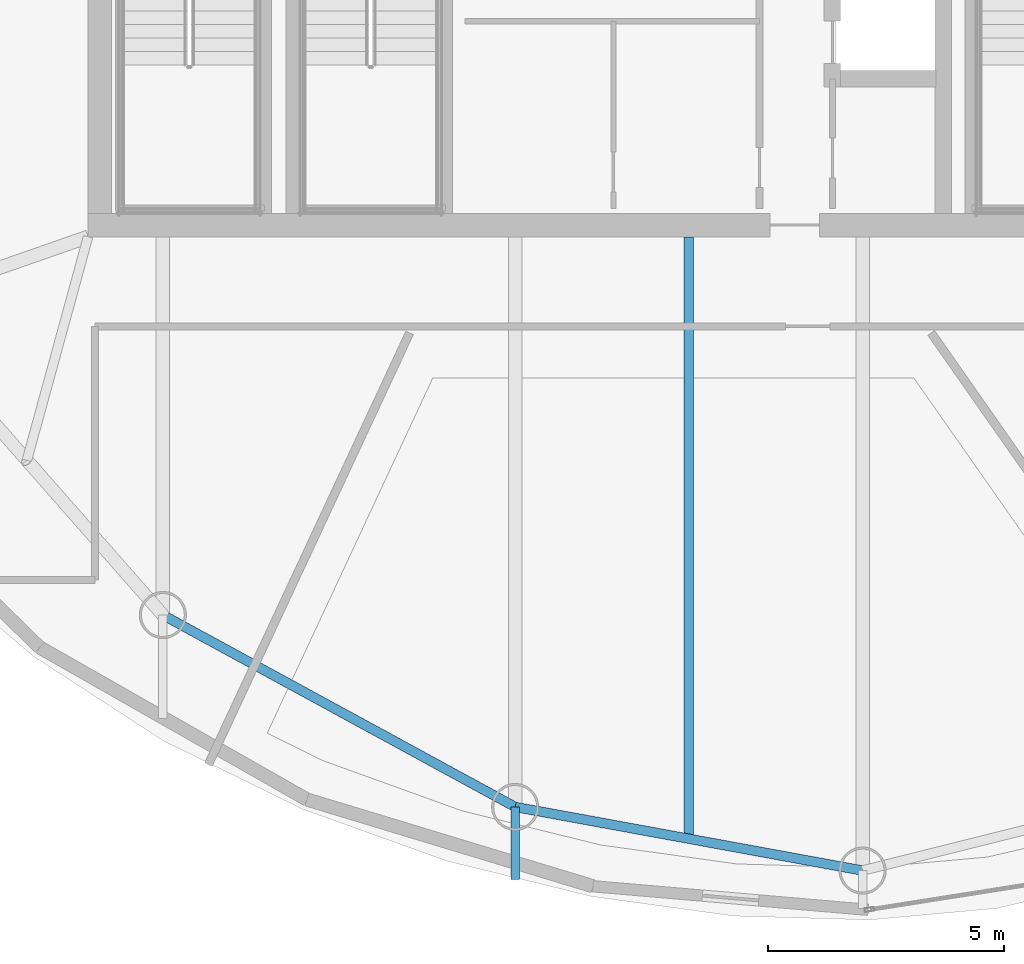
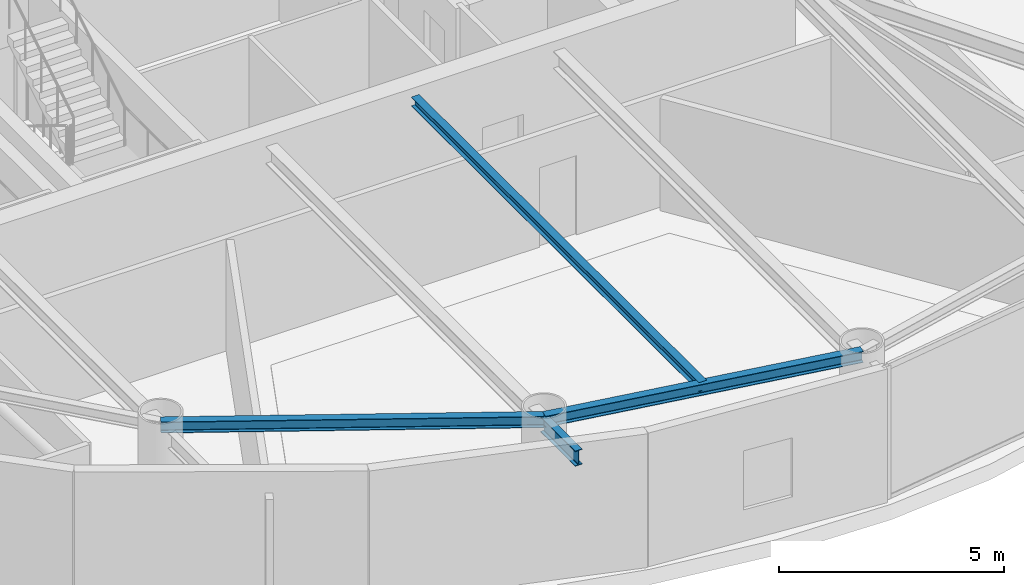
# One storey, part 3 of 20: 4 beams.
"""IFC4 building model written with IfcOpenShell, lengths in metres."""

import ifcopenshell
import ifcopenshell.guid

model = None  # the IFC model being written
_history = None  # IfcOwnerHistory: only IFC2X3 demands one
_inside = {}  # id of a spatial element -> (the spatial element, [elements in it])
_under = {}  # id of a project, library or spatial element -> (it, [spatial elements below it])
_declared = {}  # id of a project -> (the project, [libraries it declares])
_typed = {}  # id of a type object -> (the type object, [elements of that type])
_made_of = {}  # id of a material, layer set ... -> (it, [elements and type objects made of it])


def new_model(schema):
    """Start an empty IFC model of exactly this schema.

    Asked for "IFC4X3", IfcOpenShell would pick the latest addendum, in which some entities
    have other attributes; the version numbers below select the first issue.
    IFC2X3 requires an IfcOwnerHistory on every rooted entity: one is made here for all.
    """
    global model, _history
    if schema == "IFC4X3":
        model = ifcopenshell.file(schema_version=(4, 3, 0, 0))
    else:
        model = ifcopenshell.file(schema=schema)
    _inside.clear()
    _under.clear()
    _declared.clear()
    _typed.clear()
    _made_of.clear()
    _history = None
    if model.schema == "IFC2X3":
        org = make("IfcOrganization", Name="unknown")
        user = make(
            "IfcPersonAndOrganization",
            ThePerson=make("IfcPerson", FamilyName="unknown"),
            TheOrganization=org,
        )
        app = make(
            "IfcApplication",
            ApplicationDeveloper=org,
            Version="unknown",
            ApplicationFullName="unknown",
            ApplicationIdentifier="unknown",
        )
        _history = make(
            "IfcOwnerHistory",
            OwningUser=user,
            OwningApplication=app,
            ChangeAction="ADDED",
            CreationDate=0,
        )
    return model


def make(cls, **values):
    """One entity of the class cls with the attributes given. An attribute that is None is left unset."""
    return model.create_entity(
        cls, **{name: value for name, value in values.items() if value is not None}
    )


def rooted(cls, **values):
    """An entity with a GlobalId (a new one), such as an element, a storey or a relation."""
    return make(cls, GlobalId=ifcopenshell.guid.new(), OwnerHistory=_history, **values)


def si_unit(unit_type, name, prefix=None):
    """IfcSIUnit, for example si_unit("LENGTHUNIT", "METRE", prefix="MILLI")."""
    return make("IfcSIUnit", UnitType=unit_type, Prefix=prefix, Name=name)


def assignment(units):
    """IfcUnitAssignment: the units of a project."""
    return None if units is None else make("IfcUnitAssignment", Units=units)


def point(xyz):
    """IfcCartesianPoint."""
    return None if xyz is None else make("IfcCartesianPoint", Coordinates=xyz)


def direction(xyz):
    """IfcDirection."""
    return None if xyz is None else make("IfcDirection", DirectionRatios=xyz)


def frame(location, z_axis=None, x_axis=None):
    """IfcAxis2Placement3D, a coordinate frame: its origin and axes. An axis left out is left unset."""
    return make(
        "IfcAxis2Placement3D",
        Location=point(location),
        Axis=direction(z_axis),
        RefDirection=direction(x_axis),
    )


def frame_2d(location, x_axis=None):
    """IfcAxis2Placement2D, a coordinate frame in the plane: its origin and x axis."""
    return make(
        "IfcAxis2Placement2D", Location=point(location), RefDirection=direction(x_axis)
    )


def origin():
    """The frame at (0, 0, 0) with its axes left unset."""
    return frame((0.0, 0.0, 0.0))


def origin_2d():
    """The frame at (0, 0) in the plane with its x axis left unset."""
    return frame_2d((0.0, 0.0))


def place(relative_to, where):
    """IfcLocalPlacement: puts the frame where relative to a parent placement (None: the world)."""
    return make(
        "IfcLocalPlacement", PlacementRelTo=relative_to, RelativePlacement=where
    )


def context(
    kind, dimensions, precision=None, world=None, true_north=None, identifier=None
):
    """IfcGeometricRepresentationContext, for example the 3D "Model" context."""
    return make(
        "IfcGeometricRepresentationContext",
        ContextIdentifier=identifier,
        ContextType=kind,
        CoordinateSpaceDimension=dimensions,
        Precision=precision,
        WorldCoordinateSystem=world,
        TrueNorth=true_north,
    )


def subcontext(parent, identifier, kind, view, scale=None):
    """IfcGeometricRepresentationSubContext, for example "Body" below "Model"."""
    return make(
        "IfcGeometricRepresentationSubContext",
        ContextIdentifier=identifier,
        ContextType=kind,
        ParentContext=parent,
        TargetScale=scale,
        TargetView=view,
    )


def project(units=None, contexts=None):
    """IfcProject with its units and contexts."""
    return rooted(
        "IfcProject",
        Name="project",
        RepresentationContexts=contexts,
        UnitsInContext=assignment(units),
    )


def spatial(cls, under=None, at=None, **own):
    """A site, building, storey or space (cls), placed at a placement, below another one or the project."""
    s = rooted(cls, ObjectPlacement=at, **own)
    if under is not None:
        _under.setdefault(under.id(), (under, []))[1].append(s)
    return s


def profile(cls, at=None, kind="AREA", **sizes):
    """A parametric profile (cls). Its sizes go by their IFC names, for example OverallWidth=200.0."""
    return make(cls, ProfileType=kind, Position=at, **sizes)


def i_section(**sizes):
    """IfcIShapeProfileDef."""
    return profile("IfcIShapeProfileDef", **sizes)


def extrude(swept, where, along, depth):
    """IfcExtrudedAreaSolid: the profile swept, set in the frame where, extruded along a direction by depth."""
    return make(
        "IfcExtrudedAreaSolid",
        SweptArea=swept,
        Position=where,
        ExtrudedDirection=direction(along),
        Depth=depth,
    )


def shape(context_of_items, identifier, shape_type, items):
    """IfcShapeRepresentation: the items that make up one representation, for example the "Body"."""
    return make(
        "IfcShapeRepresentation",
        ContextOfItems=context_of_items,
        RepresentationIdentifier=identifier,
        RepresentationType=shape_type,
        Items=items,
    )


def material(Name=None, Category=None):
    """IfcMaterial."""
    return make("IfcMaterial", Name=Name, Category=Category)


def material_profile(
    of_material, cross_section, Name=None, Category=None, Priority=None
):
    """IfcMaterialProfile: a cross section and its material."""
    return make(
        "IfcMaterialProfile",
        Name=Name,
        Material=of_material,
        Profile=cross_section,
        Priority=Priority,
        Category=Category,
    )


def profile_set(profiles, Name=None, composite=None):
    """IfcMaterialProfileSet."""
    return make(
        "IfcMaterialProfileSet",
        Name=Name,
        MaterialProfiles=profiles,
        CompositeProfile=composite,
    )


def made_of(thing, what):
    """Note that an element or type object is made of a material, layer set ...; save() writes the relation."""
    if what is not None:
        _made_of.setdefault(what.id(), (what, []))[1].append(thing)
    return thing


def type_object(cls, material=None, **own):
    """A type object (cls), such as IfcWallType, which elements share."""
    return made_of(rooted(cls, **own), material)


def element(
    cls,
    number,
    at=None,
    inside=None,
    cuts=None,
    type_object=None,
    material=None,
    context=None,
    identifier="Body",
    shape_type=None,
    held_by="IfcProductDefinitionShape",
    body=None,
    shapes=None,
    **own,
):
    """One element of the class cls, such as IfcWall. Its Tag is "e" and its number.

    at: its placement. inside: the storey or other place that contains it. cuts: it is an
    opening in that element (IfcRelVoidsElement). A single representation is given by context,
    identifier, shape_type and body (its items); several are given by shapes. held_by: the class
    of the entity that holds the representations. save() writes the other relations.
    """
    e = rooted(cls, Tag="e%d" % number, ObjectPlacement=at, **own)
    if body is not None:
        shapes = [shape(context, identifier, shape_type, body)]
    if shapes is not None:
        e.Representation = make(held_by, Representations=shapes)
    if inside is not None:
        _inside.setdefault(inside.id(), (inside, []))[1].append(e)
    if cuts is not None:
        rooted(
            "IfcRelVoidsElement", RelatingBuildingElement=cuts, RelatedOpeningElement=e
        )
    if type_object is not None:
        _typed.setdefault(type_object.id(), (type_object, []))[1].append(e)
    return made_of(e, material)


def aggregate(whole, parts):
    """IfcRelAggregates: a whole, such as a stair, and the parts it consists of."""
    return rooted("IfcRelAggregates", RelatingObject=whole, RelatedObjects=parts)


def save(model, path):
    """Write the relations noted so far, then the file.

    IfcRelAggregates (storeys below a building ...), IfcRelContainedInSpatialStructure (elements
    in a storey), IfcRelDefinesByType, IfcRelAssociatesMaterial and IfcRelDeclares: one each for
    every whole, place, type object, material and project.
    """
    for whole, parts in _under.values():
        aggregate(whole, parts)
    for where, things in _inside.values():
        rooted(
            "IfcRelContainedInSpatialStructure",
            RelatedElements=things,
            RelatingStructure=where,
        )
    for kind, things in _typed.values():
        rooted("IfcRelDefinesByType", RelatedObjects=things, RelatingType=kind)
    for what, things in _made_of.values():
        rooted("IfcRelAssociatesMaterial", RelatedObjects=things, RelatingMaterial=what)
    for by, libraries in _declared.values():
        rooted("IfcRelDeclares", RelatingContext=by, RelatedDefinitions=libraries)
    model.write(path)


model = new_model("IFC4")

# Units and contexts
model_context = context("Model", 3, precision=1e-05, world=origin(), true_north=direction((0.0, 1.0)))
body_context = subcontext(model_context, "Body", "Model", "MODEL_VIEW")
ifc_project = project(units=[si_unit("LENGTHUNIT", "METRE"), si_unit("AREAUNIT", "SQUARE_METRE"), si_unit("VOLUMEUNIT", "CUBIC_METRE"), si_unit("PLANEANGLEUNIT", "RADIAN"), si_unit("MASSUNIT", "GRAM", prefix="KILO")], contexts=[model_context])

# Site, building, storey
site_placement = place(None, origin())
site = spatial("IfcSite", under=ifc_project, at=site_placement, CompositionType="ELEMENT")
building_placement = place(site_placement, origin())
building = spatial("IfcBuilding", under=site, at=building_placement, Name="Bramvorn Convention Spire", CompositionType="ELEMENT")
storey_placement = place(building_placement, frame((0.0, 0.0, 242.050048828125)))
storey = spatial("IfcBuildingStorey", under=building, at=storey_placement, Name="L61", CompositionType="ELEMENT", Elevation=242.050048828125)

# Beams
ifc_material = material(Name="Steel CSA G40.21 Grade 350 (350W)", Category="steel")
ifc_material_profile_1 = material_profile(ifc_material, i_section(OverallWidth=0.201904296875, OverallDepth=0.2470703125, WebThickness=0.00732421875, FlangeThickness=0.010986328125, FilletRadius=0.011962890625, at=origin_2d()))
ifc_profile_set_1 = profile_set([ifc_material_profile_1], Name="Steel CSA G40.21 Grade 350 (350W) - W250X49")
beam_type_1 = type_object("IfcBeamType", Name="BM-W250X49", PredefinedType="JOIST", material=ifc_profile_set_1)
beam_1_placement = place(storey_placement, frame((39.501953125, 18.550048828125, 3.50146484375), z_axis=(0.0, -1.0, 0.0), x_axis=(1.0, 0.0, 0.0)))
element("IfcBeam", 1, at=beam_1_placement, inside=storey, type_object=beam_type_1, Name="L61 composite floor joist 15", PredefinedType="JOIST", context=body_context, shape_type="SweptSolid", body=[
    extrude(i_section(OverallWidth=0.201904296875, OverallDepth=0.2470703125, WebThickness=0.00732421875, FlangeThickness=0.010986328125, FilletRadius=0.011962890625, at=origin_2d()), origin(), (0.0, 0.0, 1.0), 12.77587890625),
])
ifc_material_profile_2 = material_profile(ifc_material, i_section(OverallWidth=0.202880859375, OverallDepth=0.302978515625, WebThickness=0.007568359375, FlangeThickness=0.01318359375, FilletRadius=0.013916015625, at=origin_2d()))
ifc_profile_set_2 = profile_set([ifc_material_profile_2], Name="Steel CSA G40.21 Grade 350 (350W) - W310X60")
beam_type_2 = type_object("IfcBeamType", Name="BM-W310X60", PredefinedType="JOIST", material=ifc_profile_set_2)
beam_2_placement = place(storey_placement, frame((28.337646484375, 10.523193359375, 3.473388671875), z_axis=(0.878133224771, -0.478416178189, 0.0), x_axis=(0.478416178189, 0.878133224771, 0.0)))
element("IfcBeam", 2, at=beam_2_placement, inside=storey, type_object=beam_type_2, Name="L61 mega-column ring beam 14", PredefinedType="JOIST", context=body_context, shape_type="SweptSolid", body=[
    extrude(i_section(OverallWidth=0.202880859375, OverallDepth=0.302978515625, WebThickness=0.007568359375, FlangeThickness=0.01318359375, FilletRadius=0.013916015625, at=origin_2d()), origin(), (0.0, 0.0, 1.0), 8.515625),
])
beam_3_placement = place(storey_placement, frame((35.8154296875, 6.44921875, 3.473388671875), z_axis=(0.983645049461, -0.180117785547, 0.0), x_axis=(0.180117785547, 0.983645049461, 0.0)))
element("IfcBeam", 3, at=beam_3_placement, inside=storey, type_object=beam_type_2, Name="L61 mega-column ring beam 15", PredefinedType="JOIST", context=body_context, shape_type="SweptSolid", body=[
    extrude(i_section(OverallWidth=0.202880859375, OverallDepth=0.302978515625, WebThickness=0.007568359375, FlangeThickness=0.01318359375, FilletRadius=0.013916015625, at=origin_2d()), origin(), (0.0, 0.0, 1.0), 7.49560546875),
])
ifc_material_profile_3 = material_profile(ifc_material, i_section(OverallWidth=0.180908203125, OverallDepth=0.4169921875, WebThickness=0.010986328125, FlangeThickness=0.018310546875, FilletRadius=0.01611328125, at=origin_2d()))
ifc_profile_set_3 = profile_set([ifc_material_profile_3], Name="Steel CSA G40.21 Grade 350 (350W) - W410X85")
beam_type_3 = type_object("IfcBeamType", Name="BM-W410X85", PredefinedType="JOIST", material=ifc_profile_set_3)
beam_4_placement = place(storey_placement, frame((35.8154296875, 6.44921875, 3.37646484375), z_axis=(0.0, -1.0, 0.0), x_axis=(1.0, 0.0, 0.0)))
element("IfcBeam", 4, at=beam_4_placement, inside=storey, type_object=beam_type_3, Name="L61 Sky-Garden cantilever tip girder MC15", PredefinedType="JOIST", context=body_context, shape_type="SweptSolid", body=[
    extrude(i_section(OverallWidth=0.180908203125, OverallDepth=0.4169921875, WebThickness=0.010986328125, FlangeThickness=0.018310546875, FilletRadius=0.01611328125, at=origin_2d()), origin(), (0.0, 0.0, 1.0), 1.542724609375),
])

save(model, "model.ifc")
